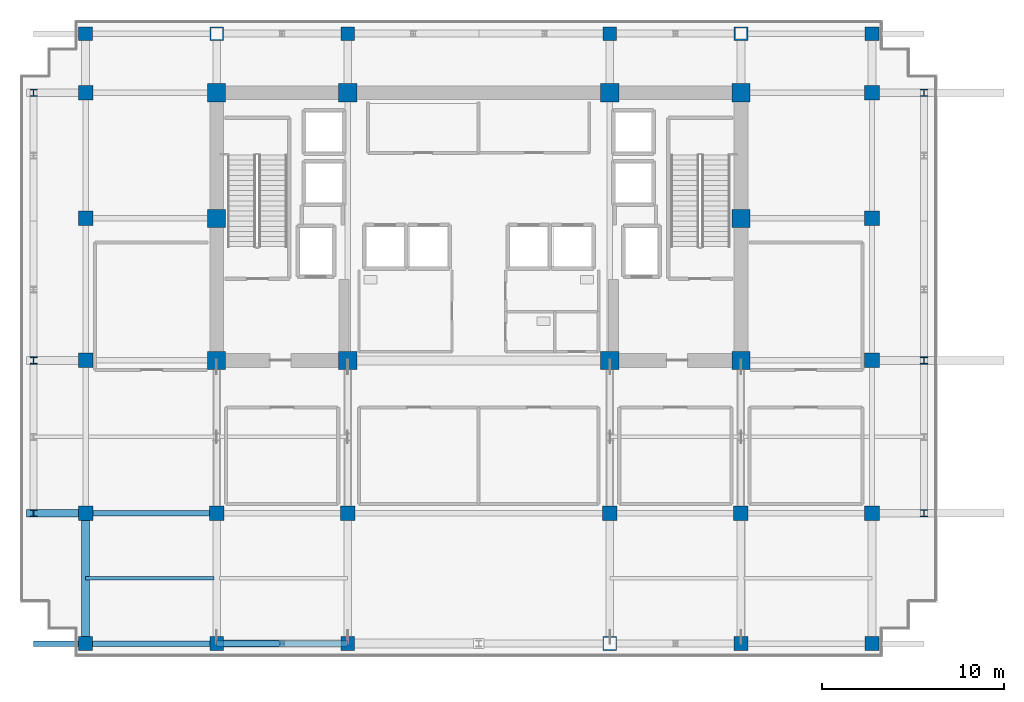
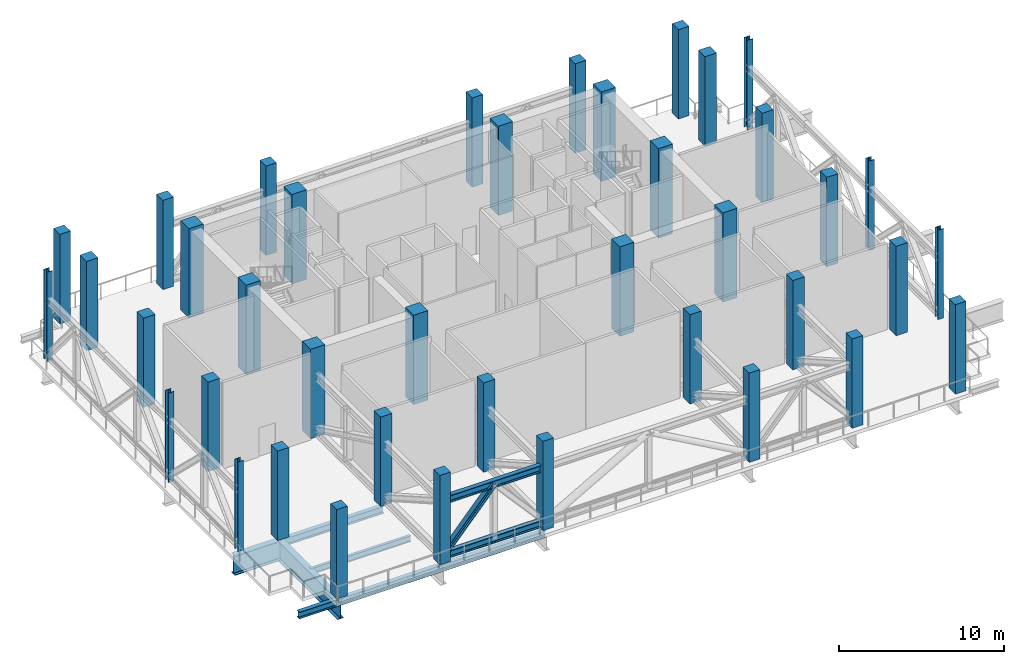
# One storey, part 1 of 13: 40 columns, 7 beams, 3 members.
"""IFC4 building model written with IfcOpenShell, lengths in metres."""

from ifc_helpers import new_model, si_unit, direction, frame, origin, origin_2d, place, context, subcontext, project, spatial, rectangle, i_section, extrude, source, transform, mapped, material, material_profile, profile_set, type_object, element, save


model = new_model("IFC4")

# Units and contexts
model_context = context("Model", 3, precision=1e-05, world=origin(), true_north=direction((0.0, 1.0)))
body_context = subcontext(model_context, "Body", "Model", "MODEL_VIEW")
ifc_project = project(units=[si_unit("LENGTHUNIT", "METRE"), si_unit("AREAUNIT", "SQUARE_METRE"), si_unit("VOLUMEUNIT", "CUBIC_METRE"), si_unit("PLANEANGLEUNIT", "RADIAN"), si_unit("MASSUNIT", "GRAM", prefix="KILO")], contexts=[model_context])

# Site, building, storey
site_placement = place(None, origin())
site = spatial("IfcSite", under=ifc_project, at=site_placement, CompositionType="ELEMENT")
building_placement = place(site_placement, origin())
building = spatial("IfcBuilding", under=site, at=building_placement, Name="Zarnakvel Exchange Tower", CompositionType="ELEMENT")
storey_placement = place(building_placement, frame((0.0, 0.0, 139.60009765625)))
storey = spatial("IfcBuildingStorey", under=building, at=storey_placement, Name="L39", CompositionType="ELEMENT", Elevation=139.60009765625)

# Columns
ifc_material_1 = material(Name="Concrete C60/75", Category="concrete")
ifc_material_profile_1 = material_profile(ifc_material_1, rectangle(XDim=1.0, YDim=1.0, at=origin_2d()))
ifc_profile_set_1 = profile_set([ifc_material_profile_1], Name="Concrete C60/75")
column_type_1 = type_object("IfcColumnType", Name="CC-02", PredefinedType="COLUMN", material=ifc_profile_set_1)
for number, where, z_axis, x_axis, name in (
    (1, (-14.39990234375, -1.199951171875, 0.0), (0.0, 0.0, 1.0), (1.0, 0.0, 0.0), "L39 Column C-4D (CC-02)"),
    (2, (-7.199951171875, -1.199951171875, 0.0), (0.0, 0.0, 1.0), (1.0, 0.0, 0.0), "L39 Column C-5D (CC-02)"),
    (3, (7.199951171875, -1.199951171875, 0.0), (0.0, 0.0, 1.0), (1.0, 0.0, 0.0), "L39 Column C-8D (CC-02)"),
    (4, (14.39990234375, -1.199951171875, 0.0), (0.0, 0.0, 1.0), (1.0, 0.0, 0.0), "L39 Column C-9D (CC-02)"),
    (5, (-14.39990234375, 6.60009765625, 0.0), (0.0, 0.0, 1.0), (1.0, 0.0, 0.0), "L39 Column C-4E (CC-02)"),
    (6, (14.39990234375, 6.60009765625, 0.0), (0.0, 0.0, 1.0), (1.0, 0.0, 0.0), "L39 Column C-9E (CC-02)"),
    (7, (-14.39990234375, 13.5, 0.0), (0.0, 0.0, 1.0), (1.0, 0.0, 0.0), "L39 Column C-4F (CC-02)"),
    (8, (-7.199951171875, 13.5, 0.0), (0.0, 0.0, 1.0), (1.0, 0.0, 0.0), "L39 Column C-5F (CC-02)"),
    (9, (7.199951171875, 13.5, 0.0), (0.0, 0.0, 1.0), (1.0, 0.0, 0.0), "L39 Column C-8F (CC-02)"),
    (10, (14.39990234375, 13.5, 0.0), (0.0, 0.0, 1.0), (1.0, 0.0, 0.0), "L39 Column C-9F (CC-02)"),
):
    element("IfcColumn", number, at=place(storey_placement, frame(where, z_axis=z_axis, x_axis=x_axis)), inside=storey, type_object=column_type_1, Name=name, PredefinedType="COLUMN", context=body_context, shape_type="SweptSolid", body=[
        extrude(rectangle(XDim=1.0, YDim=1.0, at=origin_2d()), origin(), (0.0, 0.0, 1.0), 6.599853515625),
    ])
ifc_material_2 = material(Name="Steel S355", Category="steel")
ifc_material_profile_2 = material_profile(ifc_material_2, i_section(OverallWidth=0.39892578125, OverallDepth=0.3935546875, WebThickness=0.022705078125, FlangeThickness=0.03662109375, FilletRadius=0.01513671875, at=origin_2d()))
ifc_profile_set_2 = profile_set([ifc_material_profile_2], Name="Steel S355")
column_type_2 = type_object("IfcColumnType", Name="SC-04", PredefinedType="COLUMN", material=ifc_profile_set_2)
for number, where, z_axis, x_axis, name in (
    (11, (-24.449951171875, -9.60009765625, 0.0), (0.0, 0.0, 1.0), (1.0, 0.0, 0.0), "L39 Column TW-C (SC-04)"),
    (12, (24.449951171875, -9.60009765625, 0.0), (0.0, 0.0, 1.0), (1.0, 0.0, 0.0), "L39 Column TE-C (SC-04)"),
    (13, (-24.449951171875, -1.199951171875, 0.0), (0.0, 0.0, 1.0), (1.0, 0.0, 0.0), "L39 Column TW-D (SC-04)"),
    (14, (24.449951171875, -1.199951171875, 0.0), (0.0, 0.0, 1.0), (1.0, 0.0, 0.0), "L39 Column TE-D (SC-04)"),
    (15, (-24.449951171875, 13.5, 0.0), (0.0, 0.0, 1.0), (1.0, 0.0, 0.0), "L39 Column TW-F (SC-04)"),
    (16, (24.449951171875, 13.5, 0.0), (0.0, 0.0, 1.0), (1.0, 0.0, 0.0), "L39 Column TE-F (SC-04)"),
):
    element("IfcColumn", number, at=place(storey_placement, frame(where, z_axis=z_axis, x_axis=x_axis)), inside=storey, type_object=column_type_2, Name=name, PredefinedType="COLUMN", context=body_context, shape_type="SweptSolid", body=[
        extrude(i_section(OverallWidth=0.39892578125, OverallDepth=0.3935546875, WebThickness=0.022705078125, FlangeThickness=0.03662109375, FilletRadius=0.01513671875, at=origin_2d()), origin(), (0.0, 0.0, 1.0), 6.599853515625),
    ])
ifc_material_profile_3 = material_profile(ifc_material_1, rectangle(XDim=0.800048828125, YDim=0.800048828125, at=origin_2d()))
ifc_profile_set_3 = profile_set([ifc_material_profile_3], Name="Concrete C60/75")
column_type_3 = type_object("IfcColumnType", Name="TC-03", PredefinedType="COLUMN", material=ifc_profile_set_3)
for number, where, z_axis, x_axis, name in (
    (17, (-14.39990234375, -9.60009765625, 0.0), (0.0, 0.0, 1.0), (1.0, 0.0, 0.0), "L39 Column T-4C (TC-03)"),
    (18, (-7.199951171875, -9.60009765625, 0.0), (0.0, 0.0, 1.0), (1.0, 0.0, 0.0), "L39 Column T-5C (TC-03)"),
    (19, (7.199951171875, -9.60009765625, 0.0), (0.0, 0.0, 1.0), (1.0, 0.0, 0.0), "L39 Column T-8C (TC-03)"),
    (20, (14.39990234375, -9.60009765625, 0.0), (0.0, 0.0, 1.0), (1.0, 0.0, 0.0), "L39 Column T-9C (TC-03)"),
    (21, (-21.60009765625, -9.60009765625, 0.0), (0.0, 0.0, 1.0), (1.0, 0.0, 0.0), "L39 Column T-3C (TC-03)"),
    (22, (-21.60009765625, -1.199951171875, 0.0), (0.0, 0.0, 1.0), (1.0, 0.0, 0.0), "L39 Column T-3D (TC-03)"),
    (23, (-21.60009765625, 6.60009765625, 0.0), (0.0, 0.0, 1.0), (1.0, 0.0, 0.0), "L39 Column T-3E (TC-03)"),
    (24, (-21.60009765625, 13.5, 0.0), (0.0, 0.0, 1.0), (1.0, 0.0, 0.0), "L39 Column T-3F (TC-03)"),
    (25, (21.60009765625, -9.60009765625, 0.0), (0.0, 0.0, 1.0), (1.0, 0.0, 0.0), "L39 Column T-10C (TC-03)"),
    (26, (21.60009765625, -1.199951171875, 0.0), (0.0, 0.0, 1.0), (1.0, 0.0, 0.0), "L39 Column T-10D (TC-03)"),
    (27, (21.60009765625, 6.60009765625, 0.0), (0.0, 0.0, 1.0), (1.0, 0.0, 0.0), "L39 Column T-10E (TC-03)"),
    (28, (21.60009765625, 13.5, 0.0), (0.0, 0.0, 1.0), (1.0, 0.0, 0.0), "L39 Column T-10F (TC-03)"),
):
    element("IfcColumn", number, at=place(storey_placement, frame(where, z_axis=z_axis, x_axis=x_axis)), inside=storey, type_object=column_type_3, Name=name, PredefinedType="COLUMN", context=body_context, shape_type="SweptSolid", body=[
        extrude(rectangle(XDim=0.800048828125, YDim=0.800048828125, at=origin_2d()), origin(), (0.0, 0.0, 1.0), 6.599853515625),
    ])
ifc_material_3 = material(Name="Concrete C50/60", Category="concrete")
ifc_material_profile_4 = material_profile(ifc_material_3, rectangle(XDim=0.75, YDim=0.75, at=origin_2d()))
ifc_profile_set_4 = profile_set([ifc_material_profile_4], Name="Concrete C50/60")
column_type_4 = type_object("IfcColumnType", Name="TC-04", PredefinedType="COLUMN", material=ifc_profile_set_4)
for number, where, z_axis, x_axis, name in (
    (29, (-14.39990234375, -16.75, 0.0), (0.0, 0.0, 1.0), (1.0, 0.0, 0.0), "L39 Column TS-4 (TC-04)"),
    (30, (-14.39990234375, 16.75, 0.0), (0.0, 0.0, 1.0), (1.0, 0.0, 0.0), "L39 Column TN-4 (TC-04)"),
    (31, (-7.199951171875, -16.75, 0.0), (0.0, 0.0, 1.0), (1.0, 0.0, 0.0), "L39 Column TS-5 (TC-04)"),
    (32, (-7.199951171875, 16.75, 0.0), (0.0, 0.0, 1.0), (1.0, 0.0, 0.0), "L39 Column TN-5 (TC-04)"),
    (33, (7.199951171875, -16.75, 0.0), (0.0, 0.0, 1.0), (1.0, 0.0, 0.0), "L39 Column TS-8 (TC-04)"),
    (34, (7.199951171875, 16.75, 0.0), (0.0, 0.0, 1.0), (1.0, 0.0, 0.0), "L39 Column TN-8 (TC-04)"),
    (35, (14.39990234375, -16.75, 0.0), (0.0, 0.0, 1.0), (1.0, 0.0, 0.0), "L39 Column TS-9 (TC-04)"),
    (36, (14.39990234375, 16.75, 0.0), (0.0, 0.0, 1.0), (1.0, 0.0, 0.0), "L39 Column TN-9 (TC-04)"),
    (37, (-21.60009765625, -16.75, 0.0), (0.0, 0.0, 1.0), (1.0, 0.0, 0.0), "L39 Column TS-3 (TC-04)"),
    (38, (-21.60009765625, 16.75, 0.0), (0.0, 0.0, 1.0), (1.0, 0.0, 0.0), "L39 Column TN-3 (TC-04)"),
    (39, (21.60009765625, -16.75, 0.0), (0.0, 0.0, 1.0), (1.0, 0.0, 0.0), "L39 Column TS-10 (TC-04)"),
    (40, (21.60009765625, 16.75, 0.0), (0.0, 0.0, 1.0), (1.0, 0.0, 0.0), "L39 Column TN-10 (TC-04)"),
):
    element("IfcColumn", number, at=place(storey_placement, frame(where, z_axis=z_axis, x_axis=x_axis)), inside=storey, type_object=column_type_4, Name=name, PredefinedType="COLUMN", context=body_context, shape_type="SweptSolid", body=[
        extrude(rectangle(XDim=0.75, YDim=0.75, at=origin_2d()), origin(), (0.0, 0.0, 1.0), 6.599853515625),
    ])

# Beams
ifc_material_profile_5 = material_profile(ifc_material_2, i_section(OverallWidth=0.18994140625, OverallDepth=0.449951171875, WebThickness=0.009521484375, FlangeThickness=0.0146484375, FilletRadius=0.02099609375, at=origin_2d()))
ifc_profile_set_5 = profile_set([ifc_material_profile_5], Name="Steel S355")
beam_type_1 = type_object("IfcBeamType", Name="B-05", PredefinedType="JOIST", material=ifc_profile_set_5)
beam_1_placement = place(storey_placement, frame((-21.60009765625, -13.175048828125, -0.47509765625), z_axis=(1.0, 0.0, 0.0), x_axis=(0.0, 1.0, 0.0)))
element("IfcBeam", 41, at=beam_1_placement, inside=storey, type_object=beam_type_1, Name="L39 Composite Floor Secondary Joist", PredefinedType="JOIST", context=body_context, shape_type="SweptSolid", body=[
    extrude(i_section(OverallWidth=0.18994140625, OverallDepth=0.449951171875, WebThickness=0.009521484375, FlangeThickness=0.0146484375, FilletRadius=0.02099609375, at=origin_2d()), origin(), (0.0, 0.0, 1.0), 7.045166015625),
])
ifc_material_profile_6 = material_profile(ifc_material_2, i_section(OverallWidth=0.300048828125, OverallDepth=0.550048828125, WebThickness=0.014892578125, FlangeThickness=0.029052734375, FilletRadius=0.027099609375, at=origin_2d()))
ifc_profile_set_6 = profile_set([ifc_material_profile_6], Name="Steel S355")
beam_type_2 = type_object("IfcBeamType", Name="G-05", PredefinedType="BEAM", material=ifc_profile_set_6)
beam_2_placement = place(storey_placement, frame((-21.60009765625, -9.60009765625, -0.525146484375), z_axis=(1.0, 0.0, 0.0), x_axis=(0.0, 1.0, 0.0)))
element("IfcBeam", 42, at=beam_2_placement, inside=storey, type_object=beam_type_2, Name="L39 Tower E-W Frame Beam", PredefinedType="BEAM", context=body_context, shape_type="SweptSolid", body=[
    extrude(i_section(OverallWidth=0.300048828125, OverallDepth=0.550048828125, WebThickness=0.014892578125, FlangeThickness=0.029052734375, FilletRadius=0.027099609375, at=origin_2d()), origin(), (0.0, 0.0, 1.0), 7.2001953125),
])
ifc_material_profile_7 = material_profile(ifc_material_2, i_section(OverallWidth=0.300048828125, OverallDepth=0.5, WebThickness=0.014404296875, FlangeThickness=0.028076171875, FilletRadius=0.027099609375, at=origin_2d()))
ifc_profile_set_7 = profile_set([ifc_material_profile_7], Name="Steel S355")
beam_type_3 = type_object("IfcBeamType", Name="SP-02", PredefinedType="SPANDREL", material=ifc_profile_set_7)
beam_3_placement = place(storey_placement, frame((-21.60009765625, -16.75, -0.5), z_axis=(1.0, 0.0, 0.0), x_axis=(0.0, 1.0, 0.0)))
element("IfcBeam", 43, at=beam_3_placement, inside=storey, type_object=beam_type_3, Name="L39 Tower E-W Frame Beam", PredefinedType="SPANDREL", context=body_context, shape_type="SweptSolid", body=[
    extrude(i_section(OverallWidth=0.300048828125, OverallDepth=0.5, WebThickness=0.014404296875, FlangeThickness=0.028076171875, FilletRadius=0.027099609375, at=origin_2d()), origin(), (0.0, 0.0, 1.0), 7.2001953125),
])
beam_4_placement = place(storey_placement, frame((-14.39990234375, -16.75, -0.5), z_axis=(1.0, 0.0, 0.0), x_axis=(0.0, 1.0, 0.0)))
element("IfcBeam", 44, at=beam_4_placement, inside=storey, type_object=beam_type_3, Name="L39 Tower E-W Frame Beam", PredefinedType="SPANDREL", context=body_context, shape_type="SweptSolid", body=[
    extrude(i_section(OverallWidth=0.300048828125, OverallDepth=0.5, WebThickness=0.014404296875, FlangeThickness=0.028076171875, FilletRadius=0.027099609375, at=origin_2d()), origin(), (0.0, 0.0, 1.0), 7.199951171875),
])
beam_5_placement = place(storey_placement, frame((-24.449951171875, -16.75, -0.5), z_axis=(1.0, 0.0, 0.0), x_axis=(0.0, 1.0, 0.0)))
element("IfcBeam", 45, at=beam_5_placement, inside=storey, type_object=beam_type_3, Name="L39 South-West Corner Spandrel", PredefinedType="SPANDREL", context=body_context, shape_type="SweptSolid", body=[
    extrude(i_section(OverallWidth=0.300048828125, OverallDepth=0.5, WebThickness=0.014404296875, FlangeThickness=0.028076171875, FilletRadius=0.027099609375, at=origin_2d()), origin(), (0.0, 0.0, 1.0), 2.849853515625),
])
ifc_material_4 = material(Name="Steel S460", Category="steel")
ifc_material_profile_8 = material_profile(ifc_material_4, i_section(OverallWidth=0.419921875, OverallDepth=1.449951171875, WebThickness=0.02392578125, FlangeThickness=0.0400390625, FilletRadius=0.030029296875, at=origin_2d()))
ifc_profile_set_8 = profile_set([ifc_material_profile_8], Name="Steel S460")
beam_type_4 = type_object("IfcBeamType", Name="TG-01", PredefinedType="BEAM", material=ifc_profile_set_8)
beam_6_placement = place(storey_placement, frame((-21.60009765625, -16.949951171875, -0.97509765625), z_axis=(0.0, 1.0, 0.0), x_axis=(-1.0, 0.0, 0.0)))
element("IfcBeam", 46, at=beam_6_placement, inside=storey, type_object=beam_type_4, Name="L39 Setback N-S Transfer Girder TS-3", PredefinedType="BEAM", context=body_context, shape_type="SweptSolid", body=[
    extrude(i_section(OverallWidth=0.419921875, OverallDepth=1.449951171875, WebThickness=0.02392578125, FlangeThickness=0.0400390625, FilletRadius=0.030029296875, at=origin_2d()), origin(), (0.0, 0.0, 1.0), 7.349853515625),
])
beam_7_placement = place(storey_placement, frame((-24.85009765625, -9.60009765625, -0.97509765625), z_axis=(1.0, 0.0, 0.0), x_axis=(0.0, 1.0, 0.0)))
element("IfcBeam", 47, at=beam_7_placement, inside=storey, type_object=beam_type_4, Name="L39 Setback E-W Transfer Girder TW-C", PredefinedType="BEAM", context=body_context, shape_type="SweptSolid", body=[
    extrude(i_section(OverallWidth=0.419921875, OverallDepth=1.449951171875, WebThickness=0.02392578125, FlangeThickness=0.0400390625, FilletRadius=0.030029296875, at=origin_2d()), origin(), (0.0, 0.0, 1.0), 3.25),
])

# Members
ifc_material_profile_9 = material_profile(ifc_material_2, i_section(OverallWidth=0.305908203125, OverallDepth=0.52392578125, WebThickness=0.02099609375, FlangeThickness=0.0400390625, FilletRadius=0.027099609375, at=origin_2d()))
ifc_profile_set_9 = profile_set([ifc_material_profile_9], Name="Steel S355")
member_type_1 = type_object("IfcMemberType", Name="BT-02", PredefinedType="CHORD", material=ifc_profile_set_9)
shared_shape_1 = source(origin(), body_context, "Body", "SweptSolid", [
    extrude(i_section(OverallWidth=0.305908203125, OverallDepth=0.52392578125, WebThickness=0.02099609375, FlangeThickness=0.0400390625, FilletRadius=0.027099609375, at=origin_2d()), origin(), (0.0, 0.0, 1.0), 7.199951171875),
])
for number, where, z_axis, x_axis, name in (
    (48, (-14.39990234375, -16.75, 0.349853515625), (1.0, 0.0, 0.0), (0.0, 1.0, 0.0), "L39 Belt Truss Bottom Chord S-W1"),
    (49, (-14.39990234375, -16.75, 4.4248046875), (1.0, 0.0, 0.0), (0.0, 1.0, 0.0), "L39 Belt Truss Top Chord S-W1"),
):
    element("IfcMember", number, at=place(storey_placement, frame(where, z_axis=z_axis, x_axis=x_axis)), inside=storey, type_object=member_type_1, Name=name, PredefinedType="CHORD", context=body_context, shape_type="MappedRepresentation", body=[
        mapped(shared_shape_1, transform((0.0, 0.0, 0.0), x_axis=(1.0, 0.0, 0.0), y_axis=(0.0, 1.0, 0.0), z_axis=(0.0, 0.0, 1.0), scale=1.0)),
    ])
ifc_material_profile_10 = material_profile(ifc_material_2, i_section(OverallWidth=0.3740234375, OverallDepth=0.364013671875, WebThickness=0.01806640625, FlangeThickness=0.027587890625, FilletRadius=0.014892578125, at=origin_2d()))
ifc_profile_set_10 = profile_set([ifc_material_profile_10], Name="Steel S355")
member_type_2 = type_object("IfcMemberType", Name="BT-01", PredefinedType="BRACE", material=ifc_profile_set_10)
shared_shape_2 = source(origin(), body_context, "Body", "SweptSolid", [
    extrude(i_section(OverallWidth=0.3740234375, OverallDepth=0.364013671875, WebThickness=0.01806640625, FlangeThickness=0.027587890625, FilletRadius=0.014892578125, at=origin_2d()), origin(), (0.0, 0.0, 1.0), 5.437255859375),
])
member_placement = place(storey_placement, frame((-14.39990234375, -16.75, 0.349853515625), z_axis=(0.66206703727, 0.0, 0.749444619809), x_axis=(0.0, 1.0, 0.0)))
element("IfcMember", 50, at=member_placement, inside=storey, type_object=member_type_2, Name="L39 Belt Truss Chevron Left S-W1", PredefinedType="BRACE", context=body_context, shape_type="MappedRepresentation", body=[
    mapped(shared_shape_2, transform((0.0, 0.0, 0.0), x_axis=(1.0, 0.0, 0.0), y_axis=(0.0, 1.0, 0.0), z_axis=(0.0, 0.0, 1.0), scale=1.0)),
])

save(model, "model.ifc")
